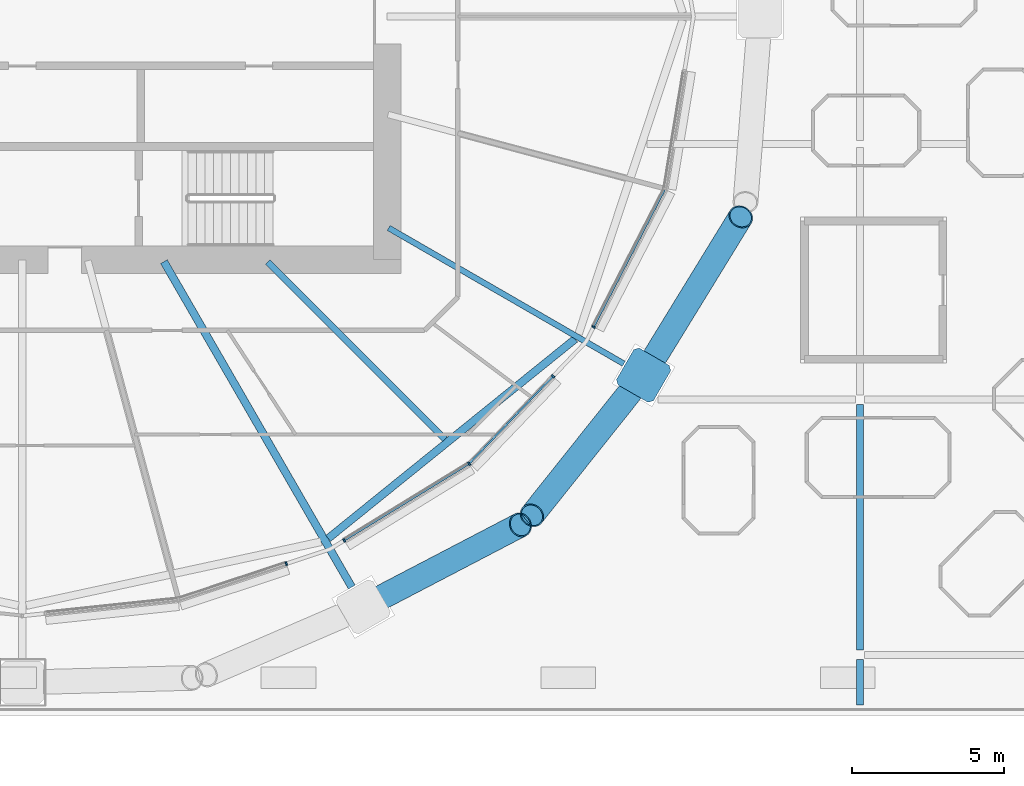
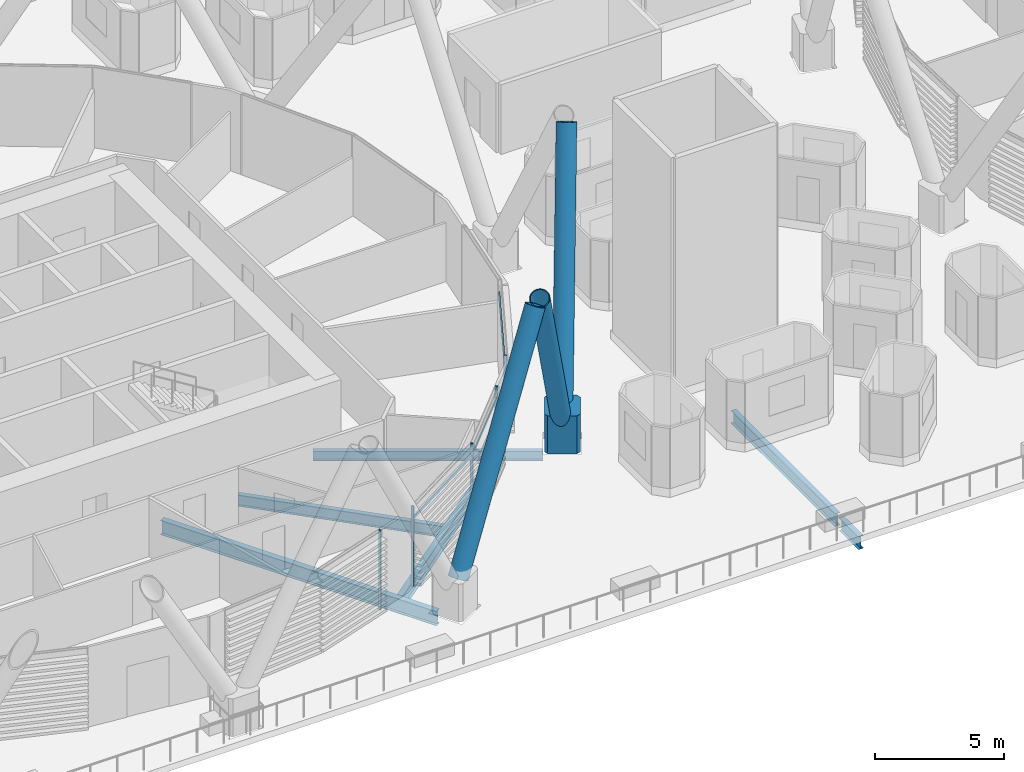
# One storey, part 6 of 47: 12 members, 6 beams, 1 element without a shape of its own.
"""IFC4 building model written with IfcOpenShell, lengths in metres."""

from ifc_helpers import new_model, si_unit, direction, frame, origin, origin_2d, place, context, subcontext, project, spatial, polyline, rectangle, hollow_circle, i_section, outline, extrude, material, material_profile, profile_set, type_object, element, aggregate, save


model = new_model("IFC4")

# Units and contexts
model_context = context("Model", 3, precision=1e-05, world=origin(), true_north=direction((0.0, 1.0)))
body_context = subcontext(model_context, "Body", "Model", "MODEL_VIEW")
ifc_project = project(units=[si_unit("LENGTHUNIT", "METRE"), si_unit("AREAUNIT", "SQUARE_METRE"), si_unit("VOLUMEUNIT", "CUBIC_METRE"), si_unit("PLANEANGLEUNIT", "RADIAN"), si_unit("MASSUNIT", "GRAM", prefix="KILO")], contexts=[model_context])

# Site, building, storey
site_placement = place(None, origin())
site = spatial("IfcSite", under=ifc_project, at=site_placement, CompositionType="ELEMENT")
building_placement = place(site_placement, origin())
building = spatial("IfcBuilding", under=site, at=building_placement, Name="Rimbun Link Towers", CompositionType="ELEMENT")
storey_placement = place(building_placement, frame((0.0, 0.0, 30.0)))
storey = spatial("IfcBuildingStorey", under=building, at=storey_placement, Name="L06", CompositionType="ELEMENT", Elevation=30.0)

# Curtain wall, members
ifc_material_1 = material(Name="Aluminium 6063-T6 and low-iron glass", Category="aluminium")
curtain_wall_type = type_object("IfcCurtainWallType", Name="CW1 unitised vision wall", PredefinedType="NOTDEFINED", material=ifc_material_1)
curtain_wall_placement = place(storey_placement, origin())
curtain_wall = element("IfcCurtainWall", 1, at=curtain_wall_placement, inside=storey, type_object=curtain_wall_type, Name="CW1 L06 T1", PredefinedType="NOTDEFINED")
ifc_material_2 = material(Name="Aluminium 6063-T6", Category="aluminium")
ifc_material_profile_1 = material_profile(ifc_material_2, rectangle(XDim=0.1201171875, YDim=0.06005859375, at=origin_2d()), Name="MULLION 60X120")
ifc_profile_set_1 = profile_set([ifc_material_profile_1], Name="Aluminium 6063-T6")
member_type_1 = type_object("IfcMemberType", Name="CW1 mullion 60X120", PredefinedType="MULLION", material=ifc_profile_set_1)
member_1_placement = place(storey_placement, frame((-23.06884765625, -17.998291015625, 0.0), z_axis=(0.0, 0.0, 1.0), x_axis=(0.314563730837, -0.949236355837, 0.0)))
member_1 = element("IfcMember", 2, at=member_1_placement, type_object=member_type_1, Name="CW1 mullion", PredefinedType="MULLION", context=body_context, shape_type="SweptSolid", body=[
    extrude(rectangle(XDim=0.1201171875, YDim=0.06005859375, at=origin_2d()), origin(), (0.0, 0.0, 1.0), 3.800048828125),
])
member_2_placement = place(storey_placement, frame((-17.051513671875, -14.70751953125, 0.0), z_axis=(0.0, 0.0, 1.0), x_axis=(0.627666129139, -0.778482646134, 0.0)))
member_2 = element("IfcMember", 3, at=member_2_placement, type_object=member_type_1, Name="CW1 mullion", PredefinedType="MULLION", context=body_context, shape_type="SweptSolid", body=[
    extrude(rectangle(XDim=0.1201171875, YDim=0.06005859375, at=origin_2d()), origin(), (0.0, 0.0, 1.0), 3.800048828125),
])
member_3_placement = place(storey_placement, frame((-21.163818359375, -17.23291015625, 0.0), z_axis=(0.0, 0.0, 1.0), x_axis=(0.523232417417, -0.85219002421, 0.0)))
member_3 = element("IfcMember", 4, at=member_3_placement, type_object=member_type_1, Name="CW1 mullion", PredefinedType="MULLION", context=body_context, shape_type="SweptSolid", body=[
    extrude(rectangle(XDim=0.1201171875, YDim=0.06005859375, at=origin_2d()), origin(), (0.0, 0.0, 1.0), 3.800048828125),
])
member_4_placement = place(storey_placement, frame((-14.294677734375, -11.83251953125, 0.0), z_axis=(0.0, 0.0, 1.0), x_axis=(0.721844292424, -0.692055501744, 0.0)))
member_4 = element("IfcMember", 5, at=member_4_placement, type_object=member_type_1, Name="CW1 mullion", PredefinedType="MULLION", context=body_context, shape_type="SweptSolid", body=[
    extrude(rectangle(XDim=0.1201171875, YDim=0.06005859375, at=origin_2d()), origin(), (0.0, 0.0, 1.0), 3.800048828125),
])
member_5_placement = place(storey_placement, frame((-12.959228515625, -10.211181640625, 0.0), z_axis=(0.0, 0.0, 1.0), x_axis=(0.888152693678, -0.459548466118, 0.0)))
member_5 = element("IfcMember", 6, at=member_5_placement, type_object=member_type_1, Name="CW1 mullion", PredefinedType="MULLION", context=body_context, shape_type="SweptSolid", body=[
    extrude(rectangle(XDim=0.1201171875, YDim=0.06005859375, at=origin_2d()), origin(), (0.0, 0.0, 1.0), 3.800048828125),
])
ifc_material_3 = material(Name="Aluminium 6063-T6", Category="aluminium")
ifc_material_profile_2 = material_profile(ifc_material_3, rectangle(XDim=0.06005859375, YDim=0.1201171875, at=origin_2d()), Name="TRANSOM 60X120")
ifc_profile_set_2 = profile_set([ifc_material_profile_2], Name="Aluminium 6063-T6")
member_type_2 = type_object("IfcMemberType", Name="CW1 transom 60X120", PredefinedType="USERDEFINED", material=ifc_profile_set_2)
member_6_placement = place(storey_placement, frame((-17.08447265625, -14.725830078125, 3.199951171875), z_axis=(-0.85218286568, -0.523244076356, 0.0), x_axis=(0.523244076356, -0.85218286568, 0.0)))
member_6 = element("IfcMember", 7, at=member_6_placement, type_object=member_type_2, Name="CW1 transom", ObjectType="TRANSOM", PredefinedType="USERDEFINED", context=body_context, shape_type="SweptSolid", body=[
    extrude(rectangle(XDim=0.06005859375, YDim=0.1201171875, at=origin_2d()), origin(), (0.0, 0.0, 1.0), 4.75830078125),
])
member_7_placement = place(storey_placement, frame((-14.31689453125, -11.852783203125, 3.199951171875), z_axis=(-0.692047546787, -0.721851919015, 0.0), x_axis=(0.721851919015, -0.692047546787, 0.0)))
member_7 = element("IfcMember", 8, at=member_7_placement, type_object=member_type_2, Name="CW1 transom", ObjectType="TRANSOM", PredefinedType="USERDEFINED", context=body_context, shape_type="SweptSolid", body=[
    extrude(rectangle(XDim=0.06005859375, YDim=0.1201171875, at=origin_2d()), origin(), (0.0, 0.0, 1.0), 3.91552734375),
])
member_8_placement = place(storey_placement, frame((-10.628662109375, -5.70263671875, 3.199951171875), z_axis=(-0.459538755132, -0.888157718275, 0.0), x_axis=(0.888157718275, -0.459538755132, 0.0)))
member_8 = element("IfcMember", 9, at=member_8_placement, type_object=member_type_2, Name="CW1 transom", ObjectType="TRANSOM", PredefinedType="USERDEFINED", context=body_context, shape_type="SweptSolid", body=[
    extrude(rectangle(XDim=0.06005859375, YDim=0.1201171875, at=origin_2d()), origin(), (0.0, 0.0, 1.0), 5.04541015625),
])
aggregate(curtain_wall, [member_1, member_2, member_3, member_4, member_5, member_6, member_7, member_8])

# Members
ifc_material_4 = material(Name="Steel S460NH", Category="steel")
ifc_material_profile_3 = material_profile(ifc_material_4, hollow_circle(Radius=0.406494140625, WallThickness=0.0400390625, at=origin_2d()), Name="Diagrid diagonal CHS 813x40")
ifc_profile_set_3 = profile_set([ifc_material_profile_3], Name="Steel S460NH")
member_type_3 = type_object("IfcMemberType", Name="Diagrid diagonal CHS 813x40", PredefinedType="BRACE", material=ifc_profile_set_3)
member_9_placement = place(storey_placement, frame((-20.316650390625, -19.30224609375, 1.33251953125), z_axis=(0.444435052233, 0.231886784036, 0.865277992171), x_axis=(-0.462577964865, 0.886578607018, 0.0)))
element("IfcMember", 10, at=member_9_placement, inside=storey, type_object=member_type_3, Name="Diagrid diagonal T1 L06-L09 20b", PredefinedType="BRACE", context=body_context, shape_type="SweptSolid", body=[
    extrude(hollow_circle(Radius=0.406494140625, WallThickness=0.0400390625, at=origin_2d()), origin(), (0.0, 0.0, 1.0), 11.134765625),
])
member_10_placement = place(storey_placement, frame((-11.47412109375, -11.994873046875, 1.33154296875), z_axis=(-0.314715634779, -0.395089031572, 0.863051983578), x_axis=(0.782176229335, -0.623057257612, 0.0)))
element("IfcMember", 11, at=member_10_placement, inside=storey, type_object=member_type_3, Name="Diagrid diagonal T1 L06-L09 22a", PredefinedType="BRACE", context=body_context, shape_type="SweptSolid", body=[
    extrude(hollow_circle(Radius=0.406494140625, WallThickness=0.0400390625, at=origin_2d()), origin(), (0.0, 0.0, 1.0), 11.166259765625),
])
member_11_placement = place(storey_placement, frame((-11.18115234375, -11.576171875, 1.327392578125), z_axis=(0.271212269758, 0.442115820211, 0.854972225427), x_axis=(-0.852396697554, 0.522895658806, 0.0)))
element("IfcMember", 12, at=member_11_placement, inside=storey, type_object=member_type_3, Name="Diagrid diagonal T1 L06-L09 22b", PredefinedType="BRACE", context=body_context, shape_type="SweptSolid", body=[
    extrude(hollow_circle(Radius=0.406494140625, WallThickness=0.0400390625, at=origin_2d()), origin(), (0.0, 0.0, 1.0), 11.281005859375),
])
ifc_material_5 = material(Name="Cast steel G20Mn5+QT, Rp0.2 300 MPa", Category="steel")
ifc_material_profile_4 = material_profile(ifc_material_5, outline(polyline([(0.699951171875, -0.570068359375), (0.699951171875, 0.570068359375), (0.570068359375, 0.699951171875), (-0.570068359375, 0.699951171875), (-0.699951171875, 0.570068359375), (-0.699951171875, -0.570068359375), (-0.570068359375, -0.699951171875), (0.570068359375, -0.699951171875), (0.699951171875, -0.570068359375)])), Name="NODE 1400x1400")
ifc_profile_set_4 = profile_set([ifc_material_profile_4], Name="Cast steel G20Mn5+QT, Rp0.2 300 MPa")
member_type_4 = type_object("IfcMemberType", Name="Diagrid node cast 1400", PredefinedType="USERDEFINED", material=ifc_profile_set_4)
member_12_placement = place(storey_placement, frame((-11.316650390625, -11.797119140625, 0.0), z_axis=(0.0, 0.0, 1.0), x_axis=(0.866025403784, -0.5, 0.0)))
element("IfcMember", 13, at=member_12_placement, inside=storey, type_object=member_type_4, Name="Diagrid node L06 22", ObjectType="Diagrid node", PredefinedType="USERDEFINED", context=body_context, shape_type="SweptSolid", body=[
    extrude(outline(polyline([(0.699951171875, -0.570068359375), (0.699951171875, 0.570068359375), (0.570068359375, 0.699951171875), (-0.570068359375, 0.699951171875), (-0.699951171875, 0.570068359375), (-0.699951171875, -0.570068359375), (-0.570068359375, -0.699951171875), (0.570068359375, -0.699951171875), (0.699951171875, -0.570068359375)])), origin(), (0.0, 0.0, 1.0), 1.800048828125),
])

# Beams
ifc_material_6 = material(Name="Steel S355J2", Category="steel")
ifc_material_profile_5 = material_profile(ifc_material_6, i_section(OverallWidth=0.18994140625, OverallDepth=0.453369140625, WebThickness=0.008544921875, FlangeThickness=0.0126953125, at=origin_2d()), Name="UB 457x191x67")
ifc_profile_set_5 = profile_set([ifc_material_profile_5], Name="Steel S355J2")
beam_type_1 = type_object("IfcBeamType", Name="UB 457x191x67", PredefinedType="BEAM", material=ifc_profile_set_5)
beam_1_placement = place(storey_placement, frame((-19.70166015625, -6.9560546875, -0.526611328125), z_axis=(0.866022633403, -0.500004798411, 0.0), x_axis=(0.500004798411, 0.866022633403, 0.0)))
element("IfcBeam", 14, at=beam_1_placement, inside=storey, type_object=beam_type_1, Name="Radial beam T1 L06 22", PredefinedType="BEAM", context=body_context, shape_type="SweptSolid", body=[
    extrude(i_section(OverallWidth=0.18994140625, OverallDepth=0.453369140625, WebThickness=0.008544921875, FlangeThickness=0.0126953125, at=origin_2d()), origin(), (0.0, 0.0, 1.0), 8.93212890625),
])
ifc_material_7 = material(Name="Steel S355J2", Category="steel")
ifc_material_profile_6 = material_profile(ifc_material_7, i_section(OverallWidth=0.209228515625, OverallDepth=0.533203125, WebThickness=0.010009765625, FlangeThickness=0.015625, at=origin_2d()), Name="UB 533x210x92")
ifc_profile_set_6 = profile_set([ifc_material_profile_6], Name="Steel S355J2")
beam_type_2 = type_object("IfcBeamType", Name="UB 533x210x92", PredefinedType="BEAM", material=ifc_profile_set_6)
beam_2_placement = place(storey_placement, frame((-23.67529296875, -8.07470703125, -0.56640625), z_axis=(0.707106781187, -0.707106781187, 0.0), x_axis=(0.707106781187, 0.707106781187, 0.0)))
element("IfcBeam", 15, at=beam_2_placement, inside=storey, type_object=beam_type_2, Name="Radial beam T1 L06 21", PredefinedType="BEAM", context=body_context, shape_type="SweptSolid", body=[
    extrude(i_section(OverallWidth=0.209228515625, OverallDepth=0.533203125, WebThickness=0.010009765625, FlangeThickness=0.015625, at=origin_2d()), origin(), (0.0, 0.0, 1.0), 8.239501953125),
])
ifc_material_8 = material(Name="Steel S355J2", Category="steel")
ifc_material_profile_7 = material_profile(ifc_material_8, i_section(OverallWidth=0.2275390625, OverallDepth=0.6025390625, WebThickness=0.010498046875, FlangeThickness=0.014892578125, at=origin_2d()), Name="UB 610x229x101")
ifc_profile_set_7 = profile_set([ifc_material_profile_7], Name="Steel S355J2")
beam_type_3 = type_object("IfcBeamType", Name="UB 610x229x101", PredefinedType="BEAM", material=ifc_profile_set_7)
beam_3_placement = place(storey_placement, frame((-4.199951171875, -22.64892578125, -0.601318359375), z_axis=(0.0, 1.0, 0.0), x_axis=(-1.0, 0.0, 0.0)))
element("IfcBeam", 16, at=beam_3_placement, inside=storey, type_object=beam_type_3, Name="Grid beam L06 -4.2", PredefinedType="BEAM", context=body_context, shape_type="SweptSolid", body=[
    extrude(i_section(OverallWidth=0.2275390625, OverallDepth=0.6025390625, WebThickness=0.010498046875, FlangeThickness=0.014892578125, at=origin_2d()), origin(), (0.0, 0.0, 1.0), 1.49169921875),
])
beam_4_placement = place(storey_placement, frame((-4.199951171875, -20.8427734375, -0.601318359375), z_axis=(0.0, 1.0, 0.0), x_axis=(-1.0, 0.0, 0.0)))
element("IfcBeam", 17, at=beam_4_placement, inside=storey, type_object=beam_type_3, Name="Grid beam L06 -4.2", PredefinedType="BEAM", context=body_context, shape_type="SweptSolid", body=[
    extrude(i_section(OverallWidth=0.2275390625, OverallDepth=0.6025390625, WebThickness=0.010498046875, FlangeThickness=0.014892578125, at=origin_2d()), origin(), (0.0, 0.0, 1.0), 8.085693359375),
])
ifc_material_9 = material(Name="Steel S355J2", Category="steel")
ifc_material_profile_8 = material_profile(ifc_material_9, i_section(OverallWidth=0.253662109375, OverallDepth=0.68359375, WebThickness=0.012451171875, FlangeThickness=0.01904296875, at=origin_2d()), Name="UB 686x254x140")
ifc_profile_set_8 = profile_set([ifc_material_profile_8], Name="Steel S355J2")
beam_type_4 = type_object("IfcBeamType", Name="UB 686x254x140", PredefinedType="BEAM", material=ifc_profile_set_8)
beam_5_placement = place(storey_placement, frame((-27.093994140625, -8.064208984375, -0.641845703125), z_axis=(0.499992594562, -0.866029679274, 0.0), x_axis=(0.866029679274, 0.499992594562, 0.0)))
element("IfcBeam", 18, at=beam_5_placement, inside=storey, type_object=beam_type_4, Name="Radial beam T1 L06 20", PredefinedType="BEAM", context=body_context, shape_type="SweptSolid", body=[
    extrude(i_section(OverallWidth=0.253662109375, OverallDepth=0.68359375, WebThickness=0.012451171875, FlangeThickness=0.01904296875, at=origin_2d()), origin(), (0.0, 0.0, 1.0), 12.360595703125),
])
beam_6_placement = place(storey_placement, frame((-21.69091796875, -17.167236328125, -0.641845703125), z_axis=(0.778006680284, 0.628256003102, 0.0), x_axis=(-0.628256003102, 0.778006680284, 0.0)))
element("IfcBeam", 19, at=beam_6_placement, inside=storey, type_object=beam_type_4, Name="Edge beam T1 L06 20-22", PredefinedType="BEAM", context=body_context, shape_type="SweptSolid", body=[
    extrude(i_section(OverallWidth=0.253662109375, OverallDepth=0.68359375, WebThickness=0.012451171875, FlangeThickness=0.01904296875, at=origin_2d()), origin(), (0.0, 0.0, 1.0), 10.4404296875),
])

save(model, "model.ifc")
